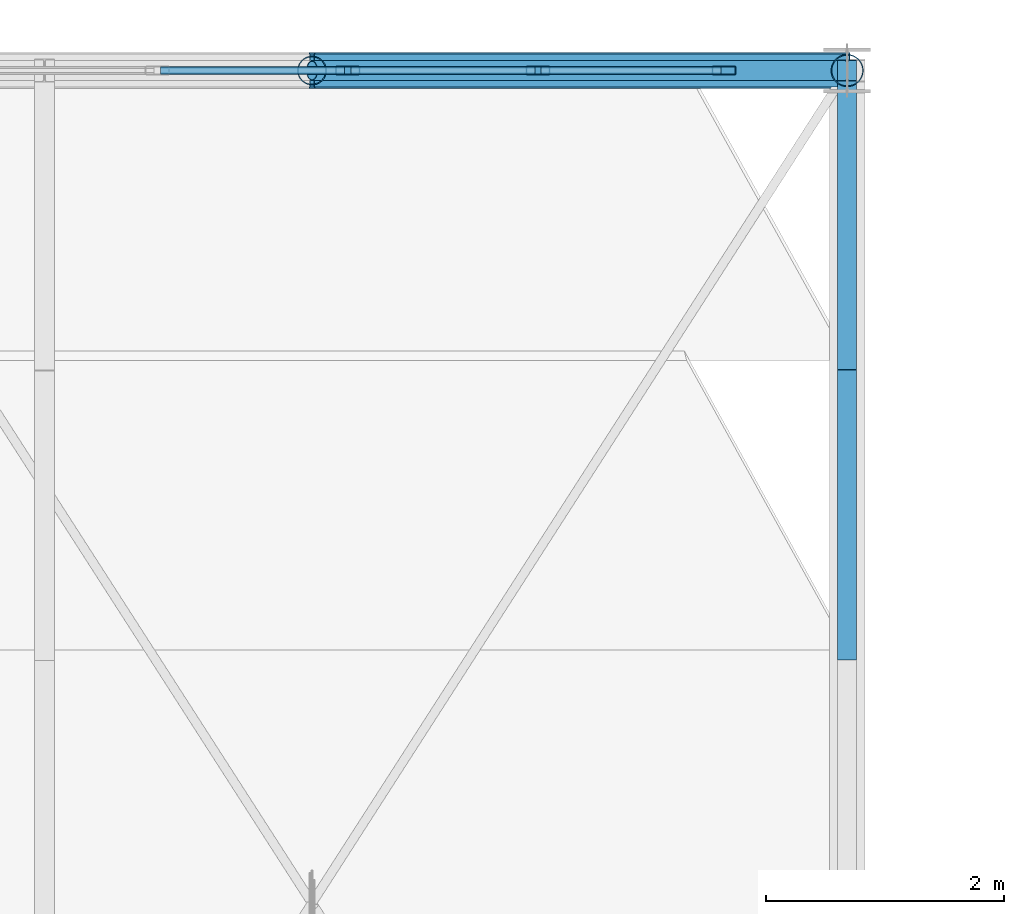
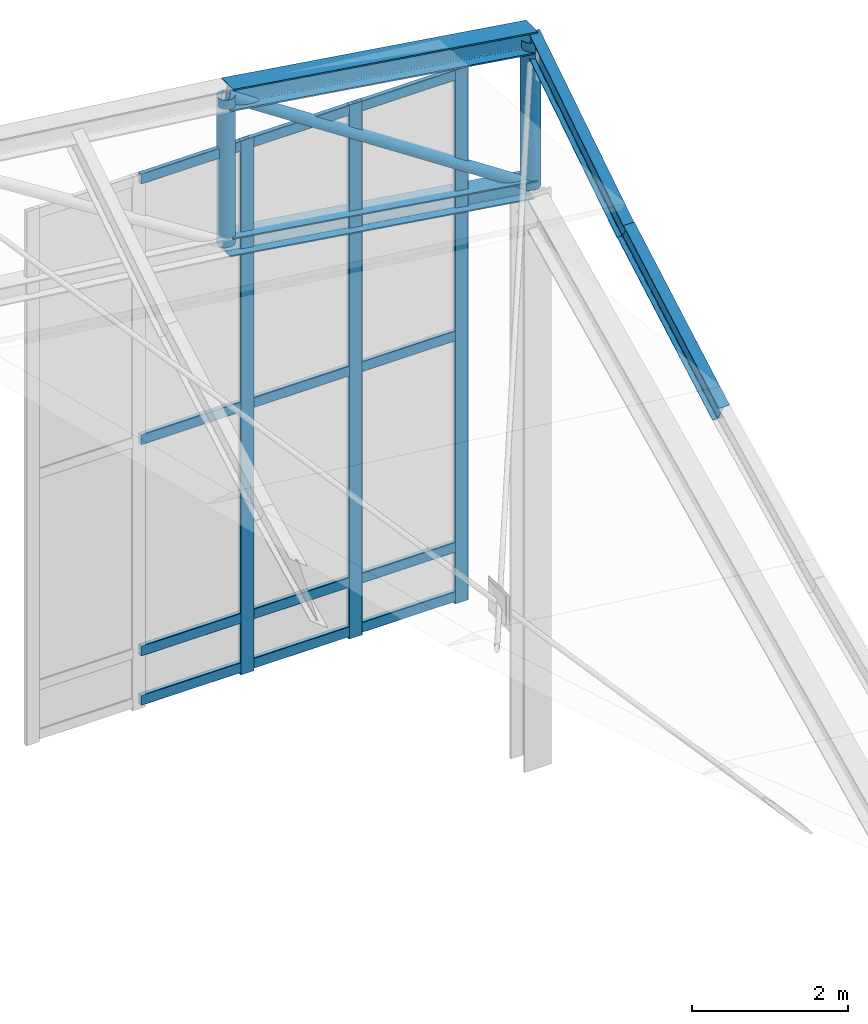
# One storey, part 216 of 262: 22 members, 1 element without a shape of its own.
"""IFC4 building model written with IfcOpenShell, lengths in metres."""

from ifc_helpers import new_model, si_unit, derived_unit, direction, frame, origin, origin_2d, place, context, subcontext, project, spatial, hollow_rectangle, hollow_circle, i_section, extrude, material, layer, layer_set, material_profile, profile_set, type_object, element, aggregate, save


model = new_model("IFC4")

# Units and contexts
model_context = context("Model", 3, precision=1e-05, world=origin(), true_north=direction((0.0, 1.0)))
body_context = subcontext(model_context, "Body", "Model", "MODEL_VIEW")
ifc_project = project(units=[si_unit("LENGTHUNIT", "METRE"), si_unit("AREAUNIT", "SQUARE_METRE"), si_unit("VOLUMEUNIT", "CUBIC_METRE"), si_unit("PLANEANGLEUNIT", "RADIAN"), si_unit("MASSUNIT", "GRAM", prefix="KILO"), derived_unit("THERMALTRANSMITTANCEUNIT", [(si_unit("POWERUNIT", "WATT"), 1), (si_unit("LENGTHUNIT", "METRE"), -2), (si_unit("THERMODYNAMICTEMPERATUREUNIT", "KELVIN"), -1)])], contexts=[model_context])

# Site, building, storey
site_placement = place(None, origin())
site = spatial("IfcSite", under=ifc_project, at=site_placement, CompositionType="ELEMENT")
building_placement = place(site_placement, origin())
building = spatial("IfcBuilding", under=site, at=building_placement, Name="Almenara Railside Exhibition Hall", CompositionType="ELEMENT")
storey_placement = place(building_placement, frame((0.0, 0.0, 21.699951171875)))
storey = spatial("IfcBuildingStorey", under=building, at=storey_placement, Name="RF", CompositionType="ELEMENT", Elevation=21.699951171875)

# Members
ifc_material_1 = material(Name="Structural steel S355JR", Category="steel")
ifc_material_profile_1 = material_profile(ifc_material_1, i_section(OverallWidth=0.280029296875, OverallDepth=0.280029296875, WebThickness=0.010498046875, FlangeThickness=0.01806640625, FilletRadius=0.02392578125, at=origin_2d()), Name="HEB 280")
ifc_profile_set_1 = profile_set([ifc_material_profile_1], Name="Structural steel S355JR")
member_type_1 = type_object("IfcMemberType", Name="Arched Gable Bottom Chord HEB 280 S355JR", PredefinedType="CHORD", material=ifc_profile_set_1)
member_1_placement = place(storey_placement, frame((187.5, 132.0, 0.072265625), z_axis=(0.9890290442, 0.0, -0.147721189165), x_axis=(0.0, 1.0, 0.0)))
element("IfcMember", 1, at=member_1_placement, inside=storey, type_object=member_type_1, Name="MEM-BC-V2-07-11", PredefinedType="CHORD", context=body_context, shape_type="SweptSolid", body=[
    extrude(i_section(OverallWidth=0.280029296875, OverallDepth=0.280029296875, WebThickness=0.010498046875, FlangeThickness=0.01806640625, FilletRadius=0.02392578125, at=origin_2d()), origin(), (0.0, 0.0, 1.0), 4.5498046875),
])
ifc_material_profile_2 = material_profile(ifc_material_1, i_section(OverallWidth=0.300048828125, OverallDepth=0.340087890625, WebThickness=0.011962890625, FlangeThickness=0.021484375, FilletRadius=0.027099609375, at=origin_2d()), Name="HEB 340")
ifc_profile_set_2 = profile_set([ifc_material_profile_2], Name="Structural steel S355JR")
member_type_2 = type_object("IfcMemberType", Name="Arched Gable Top Chord HEB 340 S355JR", PredefinedType="CHORD", material=ifc_profile_set_2)
member_2_placement = place(storey_placement, frame((187.5, 132.0, 2.372314453125), z_axis=(0.989021203369, 0.0, -0.147773675894), x_axis=(0.0, 1.0, 0.0)))
element("IfcMember", 2, at=member_2_placement, inside=storey, type_object=member_type_2, Name="MEM-TC-V2-07-11", PredefinedType="CHORD", context=body_context, shape_type="SweptSolid", body=[
    extrude(i_section(OverallWidth=0.300048828125, OverallDepth=0.340087890625, WebThickness=0.011962890625, FlangeThickness=0.021484375, FilletRadius=0.027099609375, at=origin_2d()), origin(), (0.0, 0.0, 1.0), 4.550048828125),
])

# Curtain wall, members
ifc_material_2 = material(Name="Bronze-anodised aluminium and low-E double glazing", Category="aluminium")
ifc_layer = layer(ifc_material_2, 0.179931640625, Name="Bronze-anodised aluminium and low-E double glazing")
ifc_layer_set = layer_set([ifc_layer], Name="Bronze-anodised aluminium and low-E double glazing")
curtain_wall_type = type_object("IfcCurtainWallType", Name="Scroll Gable Standard Curtain Wall 3600x5000", PredefinedType="NOTDEFINED", material=ifc_layer_set)
curtain_wall_placement = place(storey_placement, origin())
curtain_wall = element("IfcCurtainWall", 3, at=curtain_wall_placement, inside=storey, type_object=curtain_wall_type, Name="Curtain wall CW-G2-224", PredefinedType="NOTDEFINED")
ifc_material_3 = material(Name="Bronze-anodised aluminium", Category="aluminium")
ifc_material_profile_3 = material_profile(ifc_material_3, hollow_rectangle(XDim=0.070068359375, YDim=0.199951171875, WallThickness=0.00439453125, InnerFilletRadius=0.00439453125, OuterFilletRadius=0.009033203125, at=origin_2d()), Name="ALU-MUL 70x200x4.5")
ifc_profile_set_3 = profile_set([ifc_material_profile_3], Name="Bronze-anodised aluminium")
member_type_3 = type_object("IfcMemberType", Name="Curtain Wall Mullion 70x200x4.5", PredefinedType="MULLION", material=ifc_profile_set_3)
member_3_placement = place(storey_placement, frame((187.800048828125, 132.0, -6.73486328125), z_axis=(0.0, 0.0, 1.0), x_axis=(0.0, 1.0, 0.0)))
member_3 = element("IfcMember", 4, at=member_3_placement, type_object=member_type_3, Name="CW-G2-224 mullion 3", PredefinedType="MULLION", context=body_context, shape_type="SweptSolid", body=[
    extrude(hollow_rectangle(XDim=0.070068359375, YDim=0.199951171875, WallThickness=0.00439453125, InnerFilletRadius=0.00439453125, OuterFilletRadius=0.009033203125, at=origin_2d()), origin(), (0.0, 0.0, 1.0), 8.3349609375),
])
member_4_placement = place(storey_placement, frame((189.39990234375, 132.0, -6.73486328125), z_axis=(0.0, 0.0, 1.0), x_axis=(0.0, 1.0, 0.0)))
member_4 = element("IfcMember", 5, at=member_4_placement, type_object=member_type_3, Name="CW-G2-224 mullion 4", PredefinedType="MULLION", context=body_context, shape_type="SweptSolid", body=[
    extrude(hollow_rectangle(XDim=0.070068359375, YDim=0.199951171875, WallThickness=0.00439453125, InnerFilletRadius=0.00439453125, OuterFilletRadius=0.009033203125, at=origin_2d()), origin(), (0.0, 0.0, 1.0), 8.3349609375),
])
member_5_placement = place(storey_placement, frame((190.965087890625, 132.0, -6.73486328125), z_axis=(0.0, 0.0, 1.0), x_axis=(0.0, 1.0, 0.0)))
member_5 = element("IfcMember", 6, at=member_5_placement, type_object=member_type_3, Name="CW-G2-224 mullion 5", PredefinedType="MULLION", context=body_context, shape_type="SweptSolid", body=[
    extrude(hollow_rectangle(XDim=0.070068359375, YDim=0.199951171875, WallThickness=0.00439453125, InnerFilletRadius=0.00439453125, OuterFilletRadius=0.009033203125, at=origin_2d()), origin(), (0.0, 0.0, 1.0), 8.3349609375),
])
ifc_material_profile_4 = material_profile(ifc_material_3, hollow_rectangle(XDim=0.070068359375, YDim=0.159912109375, WallThickness=0.00390625, InnerFilletRadius=0.00390625, OuterFilletRadius=0.008056640625, at=origin_2d()), Name="ALU-TRN 70x160x4")
ifc_profile_set_4 = profile_set([ifc_material_profile_4], Name="Bronze-anodised aluminium")
member_type_4 = type_object("IfcMemberType", Name="Curtain Wall Transom 70x160x4", PredefinedType="USERDEFINED", material=ifc_profile_set_4)
member_6_placement = place(storey_placement, frame((186.22705078125, 132.0, -6.619873046875), z_axis=(1.0, 0.0, 0.0), x_axis=(0.0, 1.0, 0.0)))
member_6 = element("IfcMember", 7, at=member_6_placement, type_object=member_type_4, Name="CW-G2-224 transom 2.1", ObjectType="TRANSOM", PredefinedType="USERDEFINED", context=body_context, shape_type="SweptSolid", body=[
    extrude(hollow_rectangle(XDim=0.070068359375, YDim=0.159912109375, WallThickness=0.00390625, InnerFilletRadius=0.00390625, OuterFilletRadius=0.008056640625, at=origin_2d()), origin(), (0.0, 0.0, 1.0), 1.5458984375),
])
member_7_placement = place(storey_placement, frame((186.22705078125, 132.0, -5.849853515625), z_axis=(1.0, 0.0, 0.0), x_axis=(0.0, 1.0, 0.0)))
member_7 = element("IfcMember", 8, at=member_7_placement, type_object=member_type_4, Name="CW-G2-224 transom 2.2", ObjectType="TRANSOM", PredefinedType="USERDEFINED", context=body_context, shape_type="SweptSolid", body=[
    extrude(hollow_rectangle(XDim=0.070068359375, YDim=0.159912109375, WallThickness=0.00390625, InnerFilletRadius=0.00390625, OuterFilletRadius=0.008056640625, at=origin_2d()), origin(), (0.0, 0.0, 1.0), 1.5458984375),
])
member_8_placement = place(storey_placement, frame((186.22705078125, 132.0, -2.550048828125), z_axis=(1.0, 0.0, 0.0), x_axis=(0.0, 1.0, 0.0)))
member_8 = element("IfcMember", 9, at=member_8_placement, type_object=member_type_4, Name="CW-G2-224 transom 2.3", ObjectType="TRANSOM", PredefinedType="USERDEFINED", context=body_context, shape_type="SweptSolid", body=[
    extrude(hollow_rectangle(XDim=0.070068359375, YDim=0.159912109375, WallThickness=0.00390625, InnerFilletRadius=0.00390625, OuterFilletRadius=0.008056640625, at=origin_2d()), origin(), (0.0, 0.0, 1.0), 1.5458984375),
])
member_9_placement = place(storey_placement, frame((186.22705078125, 132.0, 1.52001953125), z_axis=(1.0, 0.0, 0.0), x_axis=(0.0, 1.0, 0.0)))
member_9 = element("IfcMember", 10, at=member_9_placement, type_object=member_type_4, Name="CW-G2-224 transom 2.4", ObjectType="TRANSOM", PredefinedType="USERDEFINED", context=body_context, shape_type="SweptSolid", body=[
    extrude(hollow_rectangle(XDim=0.070068359375, YDim=0.159912109375, WallThickness=0.00390625, InnerFilletRadius=0.00390625, OuterFilletRadius=0.008056640625, at=origin_2d()), origin(), (0.0, 0.0, 1.0), 1.5458984375),
])
member_10_placement = place(storey_placement, frame((187.826904296875, 132.0, -6.619873046875), z_axis=(1.0, 0.0, 0.0), x_axis=(0.0, 1.0, 0.0)))
member_10 = element("IfcMember", 11, at=member_10_placement, type_object=member_type_4, Name="CW-G2-224 transom 3.1", ObjectType="TRANSOM", PredefinedType="USERDEFINED", context=body_context, shape_type="SweptSolid", body=[
    extrude(hollow_rectangle(XDim=0.070068359375, YDim=0.159912109375, WallThickness=0.00390625, InnerFilletRadius=0.00390625, OuterFilletRadius=0.008056640625, at=origin_2d()), origin(), (0.0, 0.0, 1.0), 1.546142578125),
])
member_11_placement = place(storey_placement, frame((187.826904296875, 132.0, -5.849853515625), z_axis=(1.0, 0.0, 0.0), x_axis=(0.0, 1.0, 0.0)))
member_11 = element("IfcMember", 12, at=member_11_placement, type_object=member_type_4, Name="CW-G2-224 transom 3.2", ObjectType="TRANSOM", PredefinedType="USERDEFINED", context=body_context, shape_type="SweptSolid", body=[
    extrude(hollow_rectangle(XDim=0.070068359375, YDim=0.159912109375, WallThickness=0.00390625, InnerFilletRadius=0.00390625, OuterFilletRadius=0.008056640625, at=origin_2d()), origin(), (0.0, 0.0, 1.0), 1.546142578125),
])
member_12_placement = place(storey_placement, frame((187.826904296875, 132.0, -2.550048828125), z_axis=(1.0, 0.0, 0.0), x_axis=(0.0, 1.0, 0.0)))
member_12 = element("IfcMember", 13, at=member_12_placement, type_object=member_type_4, Name="CW-G2-224 transom 3.3", ObjectType="TRANSOM", PredefinedType="USERDEFINED", context=body_context, shape_type="SweptSolid", body=[
    extrude(hollow_rectangle(XDim=0.070068359375, YDim=0.159912109375, WallThickness=0.00390625, InnerFilletRadius=0.00390625, OuterFilletRadius=0.008056640625, at=origin_2d()), origin(), (0.0, 0.0, 1.0), 1.546142578125),
])
member_13_placement = place(storey_placement, frame((187.826904296875, 132.0, 1.52001953125), z_axis=(1.0, 0.0, 0.0), x_axis=(0.0, 1.0, 0.0)))
member_13 = element("IfcMember", 14, at=member_13_placement, type_object=member_type_4, Name="CW-G2-224 transom 3.4", ObjectType="TRANSOM", PredefinedType="USERDEFINED", context=body_context, shape_type="SweptSolid", body=[
    extrude(hollow_rectangle(XDim=0.070068359375, YDim=0.159912109375, WallThickness=0.00390625, InnerFilletRadius=0.00390625, OuterFilletRadius=0.008056640625, at=origin_2d()), origin(), (0.0, 0.0, 1.0), 1.546142578125),
])
member_14_placement = place(storey_placement, frame((189.427001953125, 132.0, -6.619873046875), z_axis=(1.0, 0.0, 0.0), x_axis=(0.0, 1.0, 0.0)))
member_14 = element("IfcMember", 15, at=member_14_placement, type_object=member_type_4, Name="CW-G2-224 transom 4.1", ObjectType="TRANSOM", PredefinedType="USERDEFINED", context=body_context, shape_type="SweptSolid", body=[
    extrude(hollow_rectangle(XDim=0.070068359375, YDim=0.159912109375, WallThickness=0.00390625, InnerFilletRadius=0.00390625, OuterFilletRadius=0.008056640625, at=origin_2d()), origin(), (0.0, 0.0, 1.0), 1.510986328125),
])
member_15_placement = place(storey_placement, frame((189.427001953125, 132.0, -5.849853515625), z_axis=(1.0, 0.0, 0.0), x_axis=(0.0, 1.0, 0.0)))
member_15 = element("IfcMember", 16, at=member_15_placement, type_object=member_type_4, Name="CW-G2-224 transom 4.2", ObjectType="TRANSOM", PredefinedType="USERDEFINED", context=body_context, shape_type="SweptSolid", body=[
    extrude(hollow_rectangle(XDim=0.070068359375, YDim=0.159912109375, WallThickness=0.00390625, InnerFilletRadius=0.00390625, OuterFilletRadius=0.008056640625, at=origin_2d()), origin(), (0.0, 0.0, 1.0), 1.510986328125),
])
member_16_placement = place(storey_placement, frame((189.427001953125, 132.0, -2.550048828125), z_axis=(1.0, 0.0, 0.0), x_axis=(0.0, 1.0, 0.0)))
member_16 = element("IfcMember", 17, at=member_16_placement, type_object=member_type_4, Name="CW-G2-224 transom 4.3", ObjectType="TRANSOM", PredefinedType="USERDEFINED", context=body_context, shape_type="SweptSolid", body=[
    extrude(hollow_rectangle(XDim=0.070068359375, YDim=0.159912109375, WallThickness=0.00390625, InnerFilletRadius=0.00390625, OuterFilletRadius=0.008056640625, at=origin_2d()), origin(), (0.0, 0.0, 1.0), 1.510986328125),
])
member_17_placement = place(storey_placement, frame((189.427001953125, 132.0, 1.52001953125), z_axis=(1.0, 0.0, 0.0), x_axis=(0.0, 1.0, 0.0)))
member_17 = element("IfcMember", 18, at=member_17_placement, type_object=member_type_4, Name="CW-G2-224 transom 4.4", ObjectType="TRANSOM", PredefinedType="USERDEFINED", context=body_context, shape_type="SweptSolid", body=[
    extrude(hollow_rectangle(XDim=0.070068359375, YDim=0.159912109375, WallThickness=0.00390625, InnerFilletRadius=0.00390625, OuterFilletRadius=0.008056640625, at=origin_2d()), origin(), (0.0, 0.0, 1.0), 1.510986328125),
])
aggregate(curtain_wall, [member_3, member_4, member_5, member_6, member_7, member_8, member_9, member_10, member_11, member_12, member_13, member_14, member_15, member_16, member_17])

# Members
ifc_material_profile_5 = material_profile(ifc_material_1, i_section(OverallWidth=0.159912109375, OverallDepth=0.330078125, WebThickness=0.007568359375, FlangeThickness=0.011474609375, FilletRadius=0.01806640625, at=origin_2d()), Name="IPE 330")
ifc_profile_set_5 = profile_set([ifc_material_profile_5], Name="Structural steel S355JR")
member_type_5 = type_object("IfcMemberType", Name="Gable Bay Purlin IPE 330 S355JR", PredefinedType="PURLIN", material=ifc_profile_set_5)
member_18_placement = place(storey_placement, frame((192.0, 127.126708984375, -1.20849609375), z_axis=(0.0, 0.870483227181, 0.492198081261), x_axis=(-1.0, 0.0, 0.0)))
element("IfcMember", 19, at=member_18_placement, inside=storey, type_object=member_type_5, Name="MEM-PR-V2-PR-IPE330-08-26", PredefinedType="PURLIN", context=body_context, shape_type="SweptSolid", body=[
    extrude(i_section(OverallWidth=0.159912109375, OverallDepth=0.330078125, WebThickness=0.007568359375, FlangeThickness=0.011474609375, FilletRadius=0.01806640625, at=origin_2d()), origin(), (0.0, 0.0, 1.0), 2.799072265625),
])
member_19_placement = place(storey_placement, frame((192.0, 129.563232421875, 0.15576171875), z_axis=(0.0, 0.842226955435, 0.539123135785), x_axis=(-1.0, 0.0, 0.0)))
element("IfcMember", 20, at=member_19_placement, inside=storey, type_object=member_type_5, Name="MEM-PR-V2-PR-IPE330-08-27", PredefinedType="PURLIN", context=body_context, shape_type="SweptSolid", body=[
    extrude(i_section(OverallWidth=0.159912109375, OverallDepth=0.330078125, WebThickness=0.007568359375, FlangeThickness=0.011474609375, FilletRadius=0.01806640625, at=origin_2d()), origin(), (0.0, 0.0, 1.0), 2.893310546875),
])
ifc_material_profile_6 = material_profile(ifc_material_1, hollow_circle(Radius=0.084228515625, WallThickness=0.006103515625, at=origin_2d()), Name="CHS 168.3x6")
ifc_profile_set_6 = profile_set([ifc_material_profile_6], Name="Structural steel S355JR")
member_type_6 = type_object("IfcMemberType", Name="Truss End Diagonal CHS 168.3x6 S355JR", PredefinedType="BRACE", material=ifc_profile_set_6)
member_20_placement = place(storey_placement, frame((187.5, 132.0, 2.372314453125), z_axis=(0.834424544227, 0.0, -0.551122200598), x_axis=(0.0, 1.0, 0.0)))
element("IfcMember", 21, at=member_20_placement, inside=storey, type_object=member_type_6, Name="MEM-TD-V2-07-11", PredefinedType="BRACE", context=body_context, shape_type="SweptSolid", body=[
    extrude(hollow_circle(Radius=0.084228515625, WallThickness=0.006103515625, at=origin_2d()), origin(), (0.0, 0.0, 1.0), 5.392822265625),
])
ifc_material_profile_7 = material_profile(ifc_material_1, hollow_circle(Radius=0.122314453125, WallThickness=0.008056640625, at=origin_2d()), Name="CHS 244.5x8")
ifc_profile_set_7 = profile_set([ifc_material_profile_7], Name="Structural steel S355JR")
member_type_7 = type_object("IfcMemberType", Name="Truss Haunch Vertical Strut CHS 244.5x8 S355JR", PredefinedType="BRACE", material=ifc_profile_set_7)
member_21_placement = place(storey_placement, frame((187.5, 132.0, 0.072265625), z_axis=(0.0, 0.0, 1.0), x_axis=(1.0, 0.0, 0.0)))
element("IfcMember", 22, at=member_21_placement, inside=storey, type_object=member_type_7, Name="MEM-TV-V2-07-11", PredefinedType="BRACE", context=body_context, shape_type="SweptSolid", body=[
    extrude(hollow_circle(Radius=0.122314453125, WallThickness=0.008056640625, at=origin_2d()), origin(), (0.0, 0.0, 1.0), 2.300048828125),
])
ifc_material_profile_8 = material_profile(ifc_material_1, hollow_circle(Radius=0.136474609375, WallThickness=0.008056640625, at=origin_2d()), Name="CHS 273x8")
ifc_profile_set_8 = profile_set([ifc_material_profile_8], Name="Structural steel S355JR")
member_type_8 = type_object("IfcMemberType", Name="Truss Support Vertical Strut CHS 273x8 S355JR", PredefinedType="BRACE", material=ifc_profile_set_8)
member_22_placement = place(storey_placement, frame((192.0, 132.0, -0.599853515625), z_axis=(0.0, 0.0, 1.0), x_axis=(1.0, 0.0, 0.0)))
element("IfcMember", 23, at=member_22_placement, inside=storey, type_object=member_type_8, Name="MEM-TV-V2-07-12", PredefinedType="BRACE", context=body_context, shape_type="SweptSolid", body=[
    extrude(hollow_circle(Radius=0.136474609375, WallThickness=0.008056640625, at=origin_2d()), origin(), (0.0, 0.0, 1.0), 2.2998046875),
])

save(model, "model.ifc")
